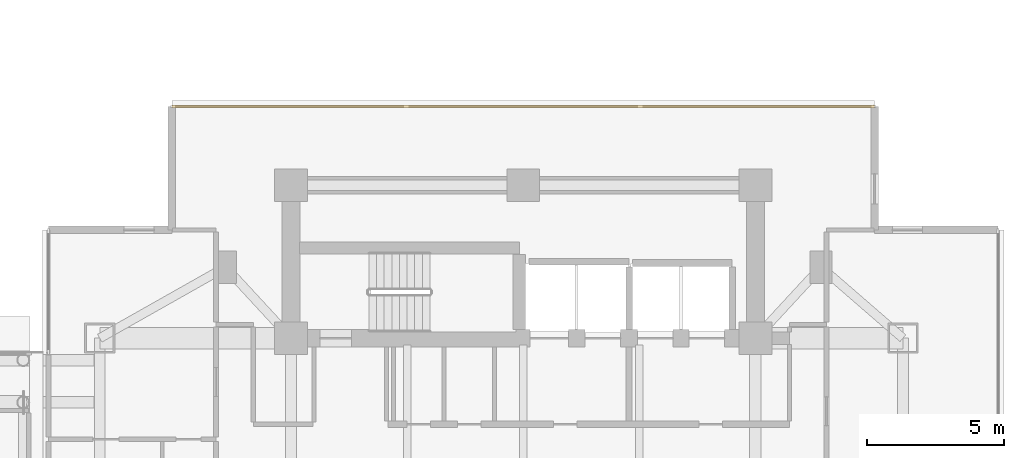
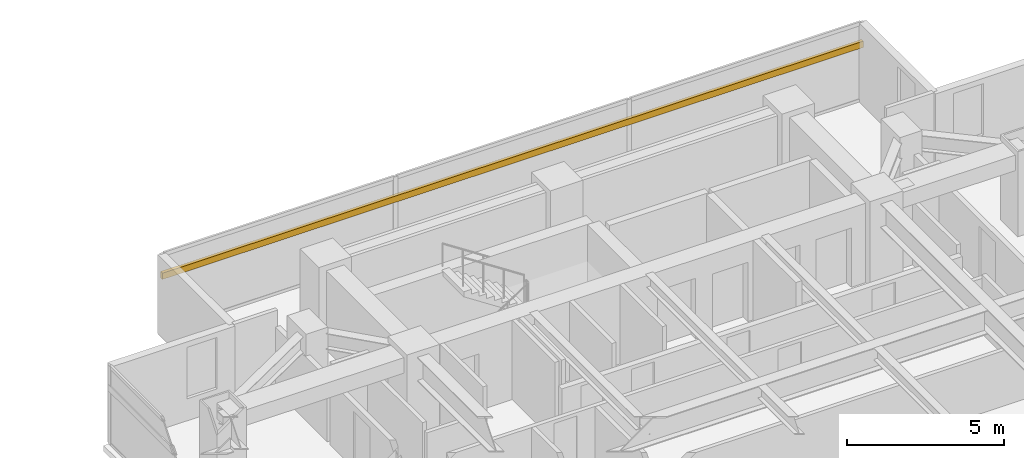
# One storey, part 28 of 28: 1 shading device.
"""IFC4 building model written with IfcOpenShell, lengths in metres."""

import ifcopenshell
import ifcopenshell.guid

model = None  # the IFC model being written
_history = None  # IfcOwnerHistory: only IFC2X3 demands one
_inside = {}  # id of a spatial element -> (the spatial element, [elements in it])
_under = {}  # id of a project, library or spatial element -> (it, [spatial elements below it])
_declared = {}  # id of a project -> (the project, [libraries it declares])
_typed = {}  # id of a type object -> (the type object, [elements of that type])
_made_of = {}  # id of a material, layer set ... -> (it, [elements and type objects made of it])


def new_model(schema):
    """Start an empty IFC model of exactly this schema.

    Asked for "IFC4X3", IfcOpenShell would pick the latest addendum, in which some entities
    have other attributes; the version numbers below select the first issue.
    IFC2X3 requires an IfcOwnerHistory on every rooted entity: one is made here for all.
    """
    global model, _history
    if schema == "IFC4X3":
        model = ifcopenshell.file(schema_version=(4, 3, 0, 0))
    else:
        model = ifcopenshell.file(schema=schema)
    _inside.clear()
    _under.clear()
    _declared.clear()
    _typed.clear()
    _made_of.clear()
    _history = None
    if model.schema == "IFC2X3":
        org = make("IfcOrganization", Name="unknown")
        user = make(
            "IfcPersonAndOrganization",
            ThePerson=make("IfcPerson", FamilyName="unknown"),
            TheOrganization=org,
        )
        app = make(
            "IfcApplication",
            ApplicationDeveloper=org,
            Version="unknown",
            ApplicationFullName="unknown",
            ApplicationIdentifier="unknown",
        )
        _history = make(
            "IfcOwnerHistory",
            OwningUser=user,
            OwningApplication=app,
            ChangeAction="ADDED",
            CreationDate=0,
        )
    return model


def make(cls, **values):
    """One entity of the class cls with the attributes given. An attribute that is None is left unset."""
    return model.create_entity(
        cls, **{name: value for name, value in values.items() if value is not None}
    )


def rooted(cls, **values):
    """An entity with a GlobalId (a new one), such as an element, a storey or a relation."""
    return make(cls, GlobalId=ifcopenshell.guid.new(), OwnerHistory=_history, **values)


def si_unit(unit_type, name, prefix=None):
    """IfcSIUnit, for example si_unit("LENGTHUNIT", "METRE", prefix="MILLI")."""
    return make("IfcSIUnit", UnitType=unit_type, Prefix=prefix, Name=name)


def assignment(units):
    """IfcUnitAssignment: the units of a project."""
    return None if units is None else make("IfcUnitAssignment", Units=units)


def point(xyz):
    """IfcCartesianPoint."""
    return None if xyz is None else make("IfcCartesianPoint", Coordinates=xyz)


def direction(xyz):
    """IfcDirection."""
    return None if xyz is None else make("IfcDirection", DirectionRatios=xyz)


def frame(location, z_axis=None, x_axis=None):
    """IfcAxis2Placement3D, a coordinate frame: its origin and axes. An axis left out is left unset."""
    return make(
        "IfcAxis2Placement3D",
        Location=point(location),
        Axis=direction(z_axis),
        RefDirection=direction(x_axis),
    )


def frame_2d(location, x_axis=None):
    """IfcAxis2Placement2D, a coordinate frame in the plane: its origin and x axis."""
    return make(
        "IfcAxis2Placement2D", Location=point(location), RefDirection=direction(x_axis)
    )


def origin():
    """The frame at (0, 0, 0) with its axes left unset."""
    return frame((0.0, 0.0, 0.0))


def origin_2d():
    """The frame at (0, 0) in the plane with its x axis left unset."""
    return frame_2d((0.0, 0.0))


def place(relative_to, where):
    """IfcLocalPlacement: puts the frame where relative to a parent placement (None: the world)."""
    return make(
        "IfcLocalPlacement", PlacementRelTo=relative_to, RelativePlacement=where
    )


def context(
    kind, dimensions, precision=None, world=None, true_north=None, identifier=None
):
    """IfcGeometricRepresentationContext, for example the 3D "Model" context."""
    return make(
        "IfcGeometricRepresentationContext",
        ContextIdentifier=identifier,
        ContextType=kind,
        CoordinateSpaceDimension=dimensions,
        Precision=precision,
        WorldCoordinateSystem=world,
        TrueNorth=true_north,
    )


def subcontext(parent, identifier, kind, view, scale=None):
    """IfcGeometricRepresentationSubContext, for example "Body" below "Model"."""
    return make(
        "IfcGeometricRepresentationSubContext",
        ContextIdentifier=identifier,
        ContextType=kind,
        ParentContext=parent,
        TargetScale=scale,
        TargetView=view,
    )


def project(units=None, contexts=None):
    """IfcProject with its units and contexts."""
    return rooted(
        "IfcProject",
        Name="project",
        RepresentationContexts=contexts,
        UnitsInContext=assignment(units),
    )


def spatial(cls, under=None, at=None, **own):
    """A site, building, storey or space (cls), placed at a placement, below another one or the project."""
    s = rooted(cls, ObjectPlacement=at, **own)
    if under is not None:
        _under.setdefault(under.id(), (under, []))[1].append(s)
    return s


def profile(cls, at=None, kind="AREA", **sizes):
    """A parametric profile (cls). Its sizes go by their IFC names, for example OverallWidth=200.0."""
    return make(cls, ProfileType=kind, Position=at, **sizes)


def rectangle(**sizes):
    """IfcRectangleProfileDef."""
    return profile("IfcRectangleProfileDef", **sizes)


def extrude(swept, where, along, depth):
    """IfcExtrudedAreaSolid: the profile swept, set in the frame where, extruded along a direction by depth."""
    return make(
        "IfcExtrudedAreaSolid",
        SweptArea=swept,
        Position=where,
        ExtrudedDirection=direction(along),
        Depth=depth,
    )


def shape(context_of_items, identifier, shape_type, items):
    """IfcShapeRepresentation: the items that make up one representation, for example the "Body"."""
    return make(
        "IfcShapeRepresentation",
        ContextOfItems=context_of_items,
        RepresentationIdentifier=identifier,
        RepresentationType=shape_type,
        Items=items,
    )


def material(Name=None, Category=None):
    """IfcMaterial."""
    return make("IfcMaterial", Name=Name, Category=Category)


def material_profile(
    of_material, cross_section, Name=None, Category=None, Priority=None
):
    """IfcMaterialProfile: a cross section and its material."""
    return make(
        "IfcMaterialProfile",
        Name=Name,
        Material=of_material,
        Profile=cross_section,
        Priority=Priority,
        Category=Category,
    )


def profile_set(profiles, Name=None, composite=None):
    """IfcMaterialProfileSet."""
    return make(
        "IfcMaterialProfileSet",
        Name=Name,
        MaterialProfiles=profiles,
        CompositeProfile=composite,
    )


def made_of(thing, what):
    """Note that an element or type object is made of a material, layer set ...; save() writes the relation."""
    if what is not None:
        _made_of.setdefault(what.id(), (what, []))[1].append(thing)
    return thing


def type_object(cls, material=None, **own):
    """A type object (cls), such as IfcWallType, which elements share."""
    return made_of(rooted(cls, **own), material)


def element(
    cls,
    number,
    at=None,
    inside=None,
    cuts=None,
    type_object=None,
    material=None,
    context=None,
    identifier="Body",
    shape_type=None,
    held_by="IfcProductDefinitionShape",
    body=None,
    shapes=None,
    **own,
):
    """One element of the class cls, such as IfcWall. Its Tag is "e" and its number.

    at: its placement. inside: the storey or other place that contains it. cuts: it is an
    opening in that element (IfcRelVoidsElement). A single representation is given by context,
    identifier, shape_type and body (its items); several are given by shapes. held_by: the class
    of the entity that holds the representations. save() writes the other relations.
    """
    e = rooted(cls, Tag="e%d" % number, ObjectPlacement=at, **own)
    if body is not None:
        shapes = [shape(context, identifier, shape_type, body)]
    if shapes is not None:
        e.Representation = make(held_by, Representations=shapes)
    if inside is not None:
        _inside.setdefault(inside.id(), (inside, []))[1].append(e)
    if cuts is not None:
        rooted(
            "IfcRelVoidsElement", RelatingBuildingElement=cuts, RelatedOpeningElement=e
        )
    if type_object is not None:
        _typed.setdefault(type_object.id(), (type_object, []))[1].append(e)
    return made_of(e, material)


def aggregate(whole, parts):
    """IfcRelAggregates: a whole, such as a stair, and the parts it consists of."""
    return rooted("IfcRelAggregates", RelatingObject=whole, RelatedObjects=parts)


def save(model, path):
    """Write the relations noted so far, then the file.

    IfcRelAggregates (storeys below a building ...), IfcRelContainedInSpatialStructure (elements
    in a storey), IfcRelDefinesByType, IfcRelAssociatesMaterial and IfcRelDeclares: one each for
    every whole, place, type object, material and project.
    """
    for whole, parts in _under.values():
        aggregate(whole, parts)
    for where, things in _inside.values():
        rooted(
            "IfcRelContainedInSpatialStructure",
            RelatedElements=things,
            RelatingStructure=where,
        )
    for kind, things in _typed.values():
        rooted("IfcRelDefinesByType", RelatedObjects=things, RelatingType=kind)
    for what, things in _made_of.values():
        rooted("IfcRelAssociatesMaterial", RelatedObjects=things, RelatingMaterial=what)
    for by, libraries in _declared.values():
        rooted("IfcRelDeclares", RelatingContext=by, RelatedDefinitions=libraries)
    model.write(path)


model = new_model("IFC4")

# Units and contexts
model_context = context("Model", 3, precision=1e-05, world=origin(), true_north=direction((0.0, 1.0)))
body_context = subcontext(model_context, "Body", "Model", "MODEL_VIEW")
ifc_project = project(units=[si_unit("LENGTHUNIT", "METRE"), si_unit("AREAUNIT", "SQUARE_METRE"), si_unit("VOLUMEUNIT", "CUBIC_METRE"), si_unit("PLANEANGLEUNIT", "RADIAN"), si_unit("MASSUNIT", "GRAM", prefix="KILO")], contexts=[model_context])

# Site, building, storey
site_placement = place(None, origin())
site = spatial("IfcSite", under=ifc_project, at=site_placement, CompositionType="ELEMENT")
building_placement = place(site_placement, origin())
building = spatial("IfcBuilding", under=site, at=building_placement, Name="Mirazonda Arch Towers", CompositionType="ELEMENT")
storey_placement = place(building_placement, frame((0.0, 0.0, 91.699951171875)))
storey = spatial("IfcBuildingStorey", under=building, at=storey_placement, Name="L25", CompositionType="ELEMENT", Elevation=91.699951171875)

# Shading device
ifc_material = material(Name="Kiln-Fired Architectural Terracotta", Category="masonry")
ifc_material_profile = material_profile(ifc_material, rectangle(XDim=0.1201171875, YDim=0.239990234375, at=origin_2d()), Name="TERRA-BAG-120x240")
ifc_profile_set = profile_set([ifc_material_profile], Name="Kiln-Fired Architectural Terracotta")
shading_device_type = type_object("IfcShadingDeviceType", Name="BAGUETTE-1", PredefinedType="USERDEFINED", material=ifc_profile_set)
shading_device_placement = place(storey_placement, frame((63.6357421875, 43.680908203125, 2.203369140625), z_axis=(1.0, 0.0, 0.0), x_axis=(0.0, 1.0, 0.0)))
element("IfcShadingDevice", 1, at=shading_device_placement, inside=storey, type_object=shading_device_type, Name="L25 Glazed Terracotta Sun-Screen Baguette CW-L25-T2-N", ObjectType="BAGUETTE", PredefinedType="USERDEFINED", context=body_context, shape_type="SweptSolid", body=[
    extrude(rectangle(XDim=0.1201171875, YDim=0.239990234375, at=origin_2d()), origin(), (0.0, 0.0, 1.0), 25.728515625),
])

save(model, "model.ifc")
